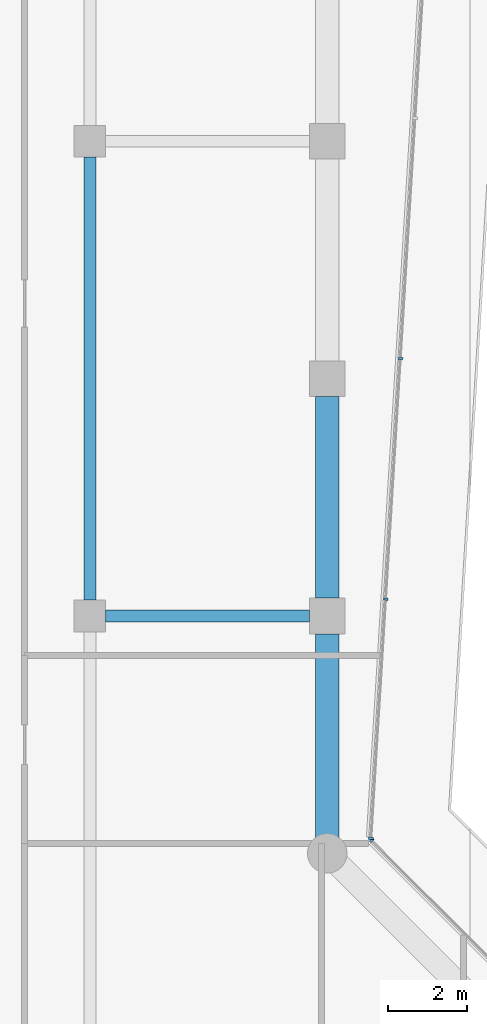
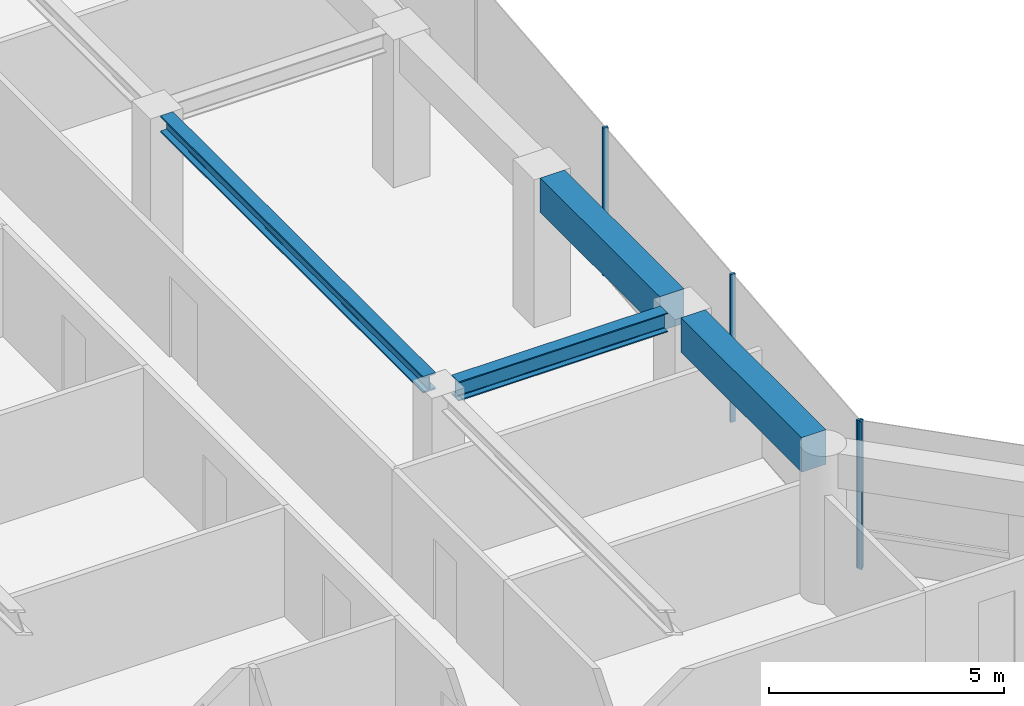
# One storey, part 11 of 24: 4 beams, 4 members, 2 elements without a shape of their own.
"""IFC4 building model written with IfcOpenShell, lengths in metres."""

from ifc_helpers import new_model, si_unit, direction, frame, origin, origin_2d, place, context, subcontext, project, spatial, rectangle, i_section, extrude, material, layer, layer_set, material_profile, profile_set, type_object, element, aggregate, save


model = new_model("IFC4")

# Units and contexts
model_context = context("Model", 3, precision=1e-05, world=origin(), true_north=direction((0.0, 1.0)))
body_context = subcontext(model_context, "Body", "Model", "MODEL_VIEW")
ifc_project = project(units=[si_unit("LENGTHUNIT", "METRE"), si_unit("AREAUNIT", "SQUARE_METRE"), si_unit("VOLUMEUNIT", "CUBIC_METRE"), si_unit("PLANEANGLEUNIT", "RADIAN"), si_unit("MASSUNIT", "GRAM", prefix="KILO")], contexts=[model_context])

# Site, building, storey
site_placement = place(None, origin())
site = spatial("IfcSite", under=ifc_project, at=site_placement, CompositionType="ELEMENT")
building_placement = place(site_placement, origin())
building = spatial("IfcBuilding", under=site, at=building_placement, Name="Welwitschia Terrace Campus", CompositionType="ELEMENT")
storey_placement = place(building_placement, frame((0.0, 0.0, 125.60009765625)))
storey = spatial("IfcBuildingStorey", under=building, at=storey_placement, Name="L28", CompositionType="ELEMENT", Elevation=125.60009765625)

# Beam
ifc_material_1 = material(Name="Steel S355", Category="steel")
ifc_material_profile_1 = material_profile(ifc_material_1, i_section(OverallWidth=0.306884765625, OverallDepth=0.431884765625, WebThickness=0.02099609375, FlangeThickness=0.0400390625, FilletRadius=0.027099609375, at=origin_2d()))
ifc_profile_set_1 = profile_set([ifc_material_profile_1], Name="Steel S355")
beam_type_1 = type_object("IfcBeamType", Name="Interior girder HE 400 M", PredefinedType="BEAM", material=ifc_profile_set_1)
beam_1_placement = place(storey_placement, frame((18.0, 40.400390625, 3.6337890625), z_axis=(0.0, 1.0, 0.0), x_axis=(-1.0, 0.0, 0.0)))
element("IfcBeam", 1, at=beam_1_placement, inside=storey, type_object=beam_type_1, Name="Girder GB3", PredefinedType="BEAM", context=body_context, shape_type="SweptSolid", body=[
    extrude(i_section(OverallWidth=0.306884765625, OverallDepth=0.431884765625, WebThickness=0.02099609375, FlangeThickness=0.0400390625, FilletRadius=0.027099609375, at=origin_2d()), origin(), (0.0, 0.0, 1.0), 11.19921875),
])

# Curtain wall, member
ifc_material_2 = material(Name="Bronze anodised aluminium", Category="aluminium")
ifc_layer = layer(ifc_material_2, 0.1201171875)
ifc_layer_set = layer_set([ifc_layer], Name="Bronze anodised aluminium")
curtain_wall_type = type_object("IfcCurtainWallType", Name="Curtain wall CW2 tower 6000", PredefinedType="NOTDEFINED", material=ifc_layer_set)
curtain_wall_1_placement = place(storey_placement, origin())
curtain_wall_1 = element("IfcCurtainWall", 2, at=curtain_wall_1_placement, inside=storey, type_object=curtain_wall_type, Name="CW L28.9.0", PredefinedType="NOTDEFINED")
ifc_material_3 = material(Name="Bronze anodised aluminium", Category="aluminium")
ifc_material_profile_2 = material_profile(ifc_material_3, rectangle(XDim=0.1201171875, YDim=0.06005859375, at=origin_2d()))
ifc_profile_set_2 = profile_set([ifc_material_profile_2], Name="Bronze anodised aluminium")
member_type = type_object("IfcMemberType", Name="Mullion 60x120", PredefinedType="MULLION", material=ifc_profile_set_2)
member_1_placement = place(storey_placement, frame((25.127197265625, 34.329345703125, 0.0), z_axis=(0.0, 0.0, 1.0), x_axis=(-0.707106781187, -0.707106781187, 0.0)))
member_1 = element("IfcMember", 3, at=member_1_placement, type_object=member_type, Name="Mullion L28.9.0.1", PredefinedType="MULLION", context=body_context, shape_type="SweptSolid", body=[
    extrude(rectangle(XDim=0.1201171875, YDim=0.06005859375, at=origin_2d()), origin(), (0.0, 0.0, 1.0), 3.849853515625),
])
aggregate(curtain_wall_1, [member_1])

# Curtain wall, members
curtain_wall_2_placement = place(storey_placement, origin())
curtain_wall_2 = element("IfcCurtainWall", 4, at=curtain_wall_2_placement, inside=storey, type_object=curtain_wall_type, Name="CW L28.10.0", PredefinedType="NOTDEFINED")
member_2_placement = place(storey_placement, frame((25.10791015625, 34.380615234375, 0.0), z_axis=(0.0, 0.0, 1.0), x_axis=(-0.998134798422, 0.061048539535, 0.0)))
member_2 = element("IfcMember", 5, at=member_2_placement, type_object=member_type, Name="Mullion L28.10.0.0", PredefinedType="MULLION", context=body_context, shape_type="SweptSolid", body=[
    extrude(rectangle(XDim=0.1201171875, YDim=0.06005859375, at=origin_2d()), origin(), (0.0, 0.0, 1.0), 3.849853515625),
])
member_3_placement = place(storey_placement, frame((25.477783203125, 40.42822265625, 0.0), z_axis=(0.0, 0.0, 1.0), x_axis=(-0.998134798422, 0.061048539535, 0.0)))
member_3 = element("IfcMember", 6, at=member_3_placement, type_object=member_type, Name="Mullion L28.10.0.1", PredefinedType="MULLION", context=body_context, shape_type="SweptSolid", body=[
    extrude(rectangle(XDim=0.1201171875, YDim=0.06005859375, at=origin_2d()), origin(), (0.0, 0.0, 1.0), 3.849853515625),
])
member_4_placement = place(storey_placement, frame((25.849365234375, 46.505615234375, 0.0), z_axis=(0.0, 0.0, 1.0), x_axis=(-0.998134798422, 0.061048539535, 0.0)))
member_4 = element("IfcMember", 7, at=member_4_placement, type_object=member_type, Name="Mullion L28.10.0.2", PredefinedType="MULLION", context=body_context, shape_type="SweptSolid", body=[
    extrude(rectangle(XDim=0.1201171875, YDim=0.06005859375, at=origin_2d()), origin(), (0.0, 0.0, 1.0), 3.849853515625),
])
aggregate(curtain_wall_2, [member_2, member_3, member_4])

# Beams
ifc_material_4 = material(Name="Steel S355", Category="steel")
ifc_material_profile_3 = material_profile(ifc_material_4, i_section(OverallWidth=0.300048828125, OverallDepth=0.5, WebThickness=0.014404296875, FlangeThickness=0.028076171875, FilletRadius=0.027099609375, at=origin_2d()))
ifc_profile_set_3 = profile_set([ifc_material_profile_3], Name="Steel S355")
beam_type_2 = type_object("IfcBeamType", Name="Primary beam HE 500 B", PredefinedType="BEAM", material=ifc_profile_set_3)
beam_2_placement = place(storey_placement, frame((23.549560546875, 40.0, 3.599853515625), z_axis=(-1.0, 0.0, 0.0), x_axis=(0.0, -1.0, 0.0)))
element("IfcBeam", 8, at=beam_2_placement, inside=storey, type_object=beam_type_2, Name="Primary beam PB3", PredefinedType="BEAM", context=body_context, shape_type="SweptSolid", body=[
    extrude(i_section(OverallWidth=0.300048828125, OverallDepth=0.5, WebThickness=0.014404296875, FlangeThickness=0.028076171875, FilletRadius=0.027099609375, at=origin_2d()), origin(), (0.0, 0.0, 1.0), 5.149169921875),
])
ifc_material_5 = material(Name="Concrete C60/75", Category="concrete")
ifc_material_profile_4 = material_profile(ifc_material_5, rectangle(XDim=0.60009765625, YDim=0.89990234375, at=origin_2d()))
ifc_profile_set_4 = profile_set([ifc_material_profile_4], Name="Concrete C60/75")
beam_type_3 = type_object("IfcBeamType", Name="Ring spandrel 600x900", PredefinedType="SPANDREL", material=ifc_profile_set_4)
beam_3_placement = place(storey_placement, frame((24.0, 34.400390625, 3.39990234375), z_axis=(0.0, 1.0, 0.0), x_axis=(-1.0, 0.0, 0.0)))
element("IfcBeam", 9, at=beam_3_placement, inside=storey, type_object=beam_type_3, Name="Spandrel SP2", PredefinedType="SPANDREL", context=body_context, shape_type="SweptSolid", body=[
    extrude(rectangle(XDim=0.60009765625, YDim=0.89990234375, at=origin_2d()), origin(), (0.0, 0.0, 1.0), 5.149169921875),
])
beam_4_placement = place(storey_placement, frame((24.0, 40.450439453125, 3.39990234375), z_axis=(0.0, 1.0, 0.0), x_axis=(-1.0, 0.0, 0.0)))
element("IfcBeam", 10, at=beam_4_placement, inside=storey, type_object=beam_type_3, Name="Spandrel SP2", PredefinedType="SPANDREL", context=body_context, shape_type="SweptSolid", body=[
    extrude(rectangle(XDim=0.60009765625, YDim=0.89990234375, at=origin_2d()), origin(), (0.0, 0.0, 1.0), 5.09912109375),
])

save(model, "model.ifc")
